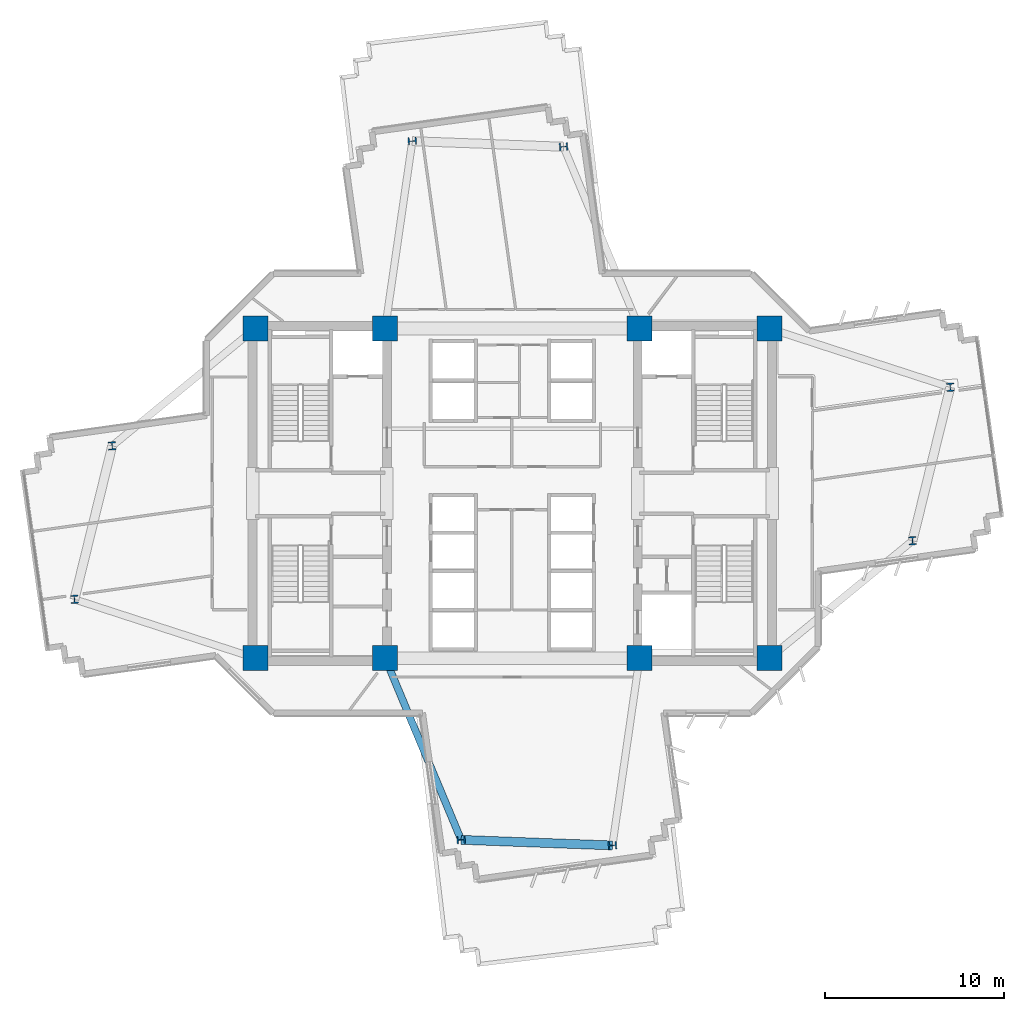
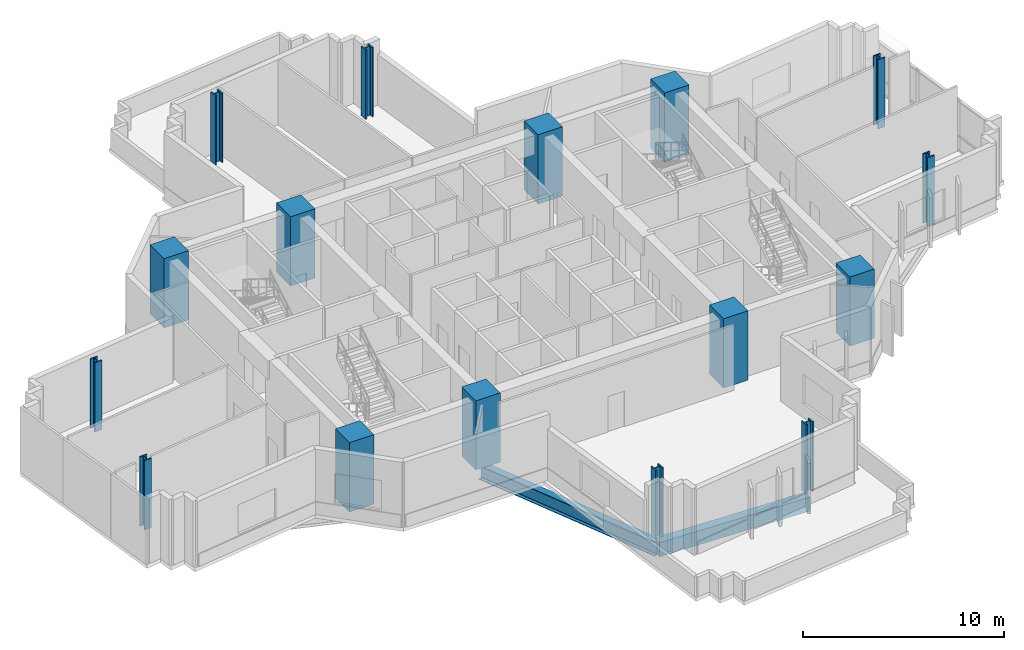
# One storey, part 1 of 13: 16 columns, 2 beams.
"""IFC4 building model written with IfcOpenShell, lengths in metres."""

import ifcopenshell
import ifcopenshell.guid

model = None  # the IFC model being written
_history = None  # IfcOwnerHistory: only IFC2X3 demands one
_inside = {}  # id of a spatial element -> (the spatial element, [elements in it])
_under = {}  # id of a project, library or spatial element -> (it, [spatial elements below it])
_declared = {}  # id of a project -> (the project, [libraries it declares])
_typed = {}  # id of a type object -> (the type object, [elements of that type])
_made_of = {}  # id of a material, layer set ... -> (it, [elements and type objects made of it])


def new_model(schema):
    """Start an empty IFC model of exactly this schema.

    Asked for "IFC4X3", IfcOpenShell would pick the latest addendum, in which some entities
    have other attributes; the version numbers below select the first issue.
    IFC2X3 requires an IfcOwnerHistory on every rooted entity: one is made here for all.
    """
    global model, _history
    if schema == "IFC4X3":
        model = ifcopenshell.file(schema_version=(4, 3, 0, 0))
    else:
        model = ifcopenshell.file(schema=schema)
    _inside.clear()
    _under.clear()
    _declared.clear()
    _typed.clear()
    _made_of.clear()
    _history = None
    if model.schema == "IFC2X3":
        org = make("IfcOrganization", Name="unknown")
        user = make(
            "IfcPersonAndOrganization",
            ThePerson=make("IfcPerson", FamilyName="unknown"),
            TheOrganization=org,
        )
        app = make(
            "IfcApplication",
            ApplicationDeveloper=org,
            Version="unknown",
            ApplicationFullName="unknown",
            ApplicationIdentifier="unknown",
        )
        _history = make(
            "IfcOwnerHistory",
            OwningUser=user,
            OwningApplication=app,
            ChangeAction="ADDED",
            CreationDate=0,
        )
    return model


def make(cls, **values):
    """One entity of the class cls with the attributes given. An attribute that is None is left unset."""
    return model.create_entity(
        cls, **{name: value for name, value in values.items() if value is not None}
    )


def rooted(cls, **values):
    """An entity with a GlobalId (a new one), such as an element, a storey or a relation."""
    return make(cls, GlobalId=ifcopenshell.guid.new(), OwnerHistory=_history, **values)


def si_unit(unit_type, name, prefix=None):
    """IfcSIUnit, for example si_unit("LENGTHUNIT", "METRE", prefix="MILLI")."""
    return make("IfcSIUnit", UnitType=unit_type, Prefix=prefix, Name=name)


def assignment(units):
    """IfcUnitAssignment: the units of a project."""
    return None if units is None else make("IfcUnitAssignment", Units=units)


def point(xyz):
    """IfcCartesianPoint."""
    return None if xyz is None else make("IfcCartesianPoint", Coordinates=xyz)


def direction(xyz):
    """IfcDirection."""
    return None if xyz is None else make("IfcDirection", DirectionRatios=xyz)


def frame(location, z_axis=None, x_axis=None):
    """IfcAxis2Placement3D, a coordinate frame: its origin and axes. An axis left out is left unset."""
    return make(
        "IfcAxis2Placement3D",
        Location=point(location),
        Axis=direction(z_axis),
        RefDirection=direction(x_axis),
    )


def frame_2d(location, x_axis=None):
    """IfcAxis2Placement2D, a coordinate frame in the plane: its origin and x axis."""
    return make(
        "IfcAxis2Placement2D", Location=point(location), RefDirection=direction(x_axis)
    )


def origin():
    """The frame at (0, 0, 0) with its axes left unset."""
    return frame((0.0, 0.0, 0.0))


def origin_2d():
    """The frame at (0, 0) in the plane with its x axis left unset."""
    return frame_2d((0.0, 0.0))


def place(relative_to, where):
    """IfcLocalPlacement: puts the frame where relative to a parent placement (None: the world)."""
    return make(
        "IfcLocalPlacement", PlacementRelTo=relative_to, RelativePlacement=where
    )


def context(
    kind, dimensions, precision=None, world=None, true_north=None, identifier=None
):
    """IfcGeometricRepresentationContext, for example the 3D "Model" context."""
    return make(
        "IfcGeometricRepresentationContext",
        ContextIdentifier=identifier,
        ContextType=kind,
        CoordinateSpaceDimension=dimensions,
        Precision=precision,
        WorldCoordinateSystem=world,
        TrueNorth=true_north,
    )


def subcontext(parent, identifier, kind, view, scale=None):
    """IfcGeometricRepresentationSubContext, for example "Body" below "Model"."""
    return make(
        "IfcGeometricRepresentationSubContext",
        ContextIdentifier=identifier,
        ContextType=kind,
        ParentContext=parent,
        TargetScale=scale,
        TargetView=view,
    )


def project(units=None, contexts=None):
    """IfcProject with its units and contexts."""
    return rooted(
        "IfcProject",
        Name="project",
        RepresentationContexts=contexts,
        UnitsInContext=assignment(units),
    )


def spatial(cls, under=None, at=None, **own):
    """A site, building, storey or space (cls), placed at a placement, below another one or the project."""
    s = rooted(cls, ObjectPlacement=at, **own)
    if under is not None:
        _under.setdefault(under.id(), (under, []))[1].append(s)
    return s


def profile(cls, at=None, kind="AREA", **sizes):
    """A parametric profile (cls). Its sizes go by their IFC names, for example OverallWidth=200.0."""
    return make(cls, ProfileType=kind, Position=at, **sizes)


def rectangle(**sizes):
    """IfcRectangleProfileDef."""
    return profile("IfcRectangleProfileDef", **sizes)


def i_section(**sizes):
    """IfcIShapeProfileDef."""
    return profile("IfcIShapeProfileDef", **sizes)


def extrude(swept, where, along, depth):
    """IfcExtrudedAreaSolid: the profile swept, set in the frame where, extruded along a direction by depth."""
    return make(
        "IfcExtrudedAreaSolid",
        SweptArea=swept,
        Position=where,
        ExtrudedDirection=direction(along),
        Depth=depth,
    )


def shape(context_of_items, identifier, shape_type, items):
    """IfcShapeRepresentation: the items that make up one representation, for example the "Body"."""
    return make(
        "IfcShapeRepresentation",
        ContextOfItems=context_of_items,
        RepresentationIdentifier=identifier,
        RepresentationType=shape_type,
        Items=items,
    )


def source(mapping_origin, context_of_items, identifier, shape_type, items):
    """IfcRepresentationMap: a shape defined once, which mapped items show again and again."""
    return make(
        "IfcRepresentationMap",
        MappingOrigin=mapping_origin,
        MappedRepresentation=shape(context_of_items, identifier, shape_type, items),
    )


def transform(
    local_origin,
    x_axis=None,
    y_axis=None,
    z_axis=None,
    scale=None,
    scale2=None,
    scale3=None,
    uniform=True,
):
    """IfcCartesianTransformationOperator3D, or its non-uniform kind. x_axis, y_axis, z_axis: its Axis1, 2, 3."""
    if uniform:
        return make(
            "IfcCartesianTransformationOperator3D",
            Axis1=direction(x_axis),
            Axis2=direction(y_axis),
            LocalOrigin=point(local_origin),
            Scale=scale,
            Axis3=direction(z_axis),
        )
    return make(
        "IfcCartesianTransformationOperator3DnonUniform",
        Axis1=direction(x_axis),
        Axis2=direction(y_axis),
        LocalOrigin=point(local_origin),
        Scale=scale,
        Axis3=direction(z_axis),
        Scale2=scale2,
        Scale3=scale3,
    )


def mapped(mapping_source, mapping_target):
    """IfcMappedItem: shows the shape of a source again, moved by a transform."""
    return make(
        "IfcMappedItem", MappingSource=mapping_source, MappingTarget=mapping_target
    )


def material(Name=None, Category=None):
    """IfcMaterial."""
    return make("IfcMaterial", Name=Name, Category=Category)


def material_profile(
    of_material, cross_section, Name=None, Category=None, Priority=None
):
    """IfcMaterialProfile: a cross section and its material."""
    return make(
        "IfcMaterialProfile",
        Name=Name,
        Material=of_material,
        Profile=cross_section,
        Priority=Priority,
        Category=Category,
    )


def profile_set(profiles, Name=None, composite=None):
    """IfcMaterialProfileSet."""
    return make(
        "IfcMaterialProfileSet",
        Name=Name,
        MaterialProfiles=profiles,
        CompositeProfile=composite,
    )


def made_of(thing, what):
    """Note that an element or type object is made of a material, layer set ...; save() writes the relation."""
    if what is not None:
        _made_of.setdefault(what.id(), (what, []))[1].append(thing)
    return thing


def type_object(cls, material=None, **own):
    """A type object (cls), such as IfcWallType, which elements share."""
    return made_of(rooted(cls, **own), material)


def element(
    cls,
    number,
    at=None,
    inside=None,
    cuts=None,
    type_object=None,
    material=None,
    context=None,
    identifier="Body",
    shape_type=None,
    held_by="IfcProductDefinitionShape",
    body=None,
    shapes=None,
    **own,
):
    """One element of the class cls, such as IfcWall. Its Tag is "e" and its number.

    at: its placement. inside: the storey or other place that contains it. cuts: it is an
    opening in that element (IfcRelVoidsElement). A single representation is given by context,
    identifier, shape_type and body (its items); several are given by shapes. held_by: the class
    of the entity that holds the representations. save() writes the other relations.
    """
    e = rooted(cls, Tag="e%d" % number, ObjectPlacement=at, **own)
    if body is not None:
        shapes = [shape(context, identifier, shape_type, body)]
    if shapes is not None:
        e.Representation = make(held_by, Representations=shapes)
    if inside is not None:
        _inside.setdefault(inside.id(), (inside, []))[1].append(e)
    if cuts is not None:
        rooted(
            "IfcRelVoidsElement", RelatingBuildingElement=cuts, RelatedOpeningElement=e
        )
    if type_object is not None:
        _typed.setdefault(type_object.id(), (type_object, []))[1].append(e)
    return made_of(e, material)


def aggregate(whole, parts):
    """IfcRelAggregates: a whole, such as a stair, and the parts it consists of."""
    return rooted("IfcRelAggregates", RelatingObject=whole, RelatedObjects=parts)


def save(model, path):
    """Write the relations noted so far, then the file.

    IfcRelAggregates (storeys below a building ...), IfcRelContainedInSpatialStructure (elements
    in a storey), IfcRelDefinesByType, IfcRelAssociatesMaterial and IfcRelDeclares: one each for
    every whole, place, type object, material and project.
    """
    for whole, parts in _under.values():
        aggregate(whole, parts)
    for where, things in _inside.values():
        rooted(
            "IfcRelContainedInSpatialStructure",
            RelatedElements=things,
            RelatingStructure=where,
        )
    for kind, things in _typed.values():
        rooted("IfcRelDefinesByType", RelatedObjects=things, RelatingType=kind)
    for what, things in _made_of.values():
        rooted("IfcRelAssociatesMaterial", RelatedObjects=things, RelatingMaterial=what)
    for by, libraries in _declared.values():
        rooted("IfcRelDeclares", RelatingContext=by, RelatedDefinitions=libraries)
    model.write(path)


model = new_model("IFC4")

# Units and contexts
model_context = context("Model", 3, precision=1e-05, world=origin(), true_north=direction((0.0, 1.0)))
body_context = subcontext(model_context, "Body", "Model", "MODEL_VIEW")
ifc_project = project(units=[si_unit("LENGTHUNIT", "METRE"), si_unit("AREAUNIT", "SQUARE_METRE"), si_unit("VOLUMEUNIT", "CUBIC_METRE"), si_unit("PLANEANGLEUNIT", "RADIAN"), si_unit("MASSUNIT", "GRAM", prefix="KILO")], contexts=[model_context])

# Site, building, storey
site_placement = place(None, origin())
site = spatial("IfcSite", under=ifc_project, at=site_placement, CompositionType="ELEMENT")
building_placement = place(site_placement, origin())
building = spatial("IfcBuilding", under=site, at=building_placement, Name="Zahravan Cultural Tower", CompositionType="ELEMENT")
storey_placement = place(building_placement, frame((0.0, 0.0, 117.300048828125)))
storey = spatial("IfcBuildingStorey", under=building, at=storey_placement, Name="L26", CompositionType="ELEMENT", Elevation=117.300048828125)

# Columns
ifc_material_1 = material(Name="Concrete C60/75", Category="concrete")
ifc_material_profile_1 = material_profile(ifc_material_1, rectangle(XDim=1.39990234375, YDim=1.39990234375, at=origin_2d()), Name="RC1400X1400")
ifc_profile_set_1 = profile_set([ifc_material_profile_1], Name="Concrete C60/75")
column_type_1 = type_object("IfcColumnType", Name="COL-RC1400", PredefinedType="COLUMN", material=ifc_profile_set_1)
shared_shape_1 = source(origin(), body_context, "Body", "SweptSolid", [
    extrude(rectangle(XDim=1.39990234375, YDim=1.39990234375, at=origin_2d()), origin(), (0.0, 0.0, 1.0), 4.199951171875),
])
for number, where, z_axis, x_axis, name in (
    (1, (21.64990234375, 17.800048828125, 0.0), (0.0, 0.0, 1.0), (1.0, 0.0, 0.0), "L26 Column CC-W1"),
    (2, (28.89990234375, 17.800048828125, 0.0), (0.0, 0.0, 1.0), (1.0, 0.0, 0.0), "L26 Column CC-W2"),
    (3, (21.64990234375, 36.199951171875, 0.0), (0.0, 0.0, 1.0), (1.0, 0.0, 0.0), "L26 Column CC-W3"),
    (4, (28.89990234375, 36.199951171875, 0.0), (0.0, 0.0, 1.0), (1.0, 0.0, 0.0), "L26 Column CC-W4"),
    (5, (43.10009765625, 17.800048828125, 0.0), (0.0, 0.0, 1.0), (1.0, 0.0, 0.0), "L26 Column CC-E1"),
    (6, (50.35009765625, 17.800048828125, 0.0), (0.0, 0.0, 1.0), (1.0, 0.0, 0.0), "L26 Column CC-E2"),
    (7, (43.10009765625, 36.199951171875, 0.0), (0.0, 0.0, 1.0), (1.0, 0.0, 0.0), "L26 Column CC-E3"),
    (8, (50.35009765625, 36.199951171875, 0.0), (0.0, 0.0, 1.0), (1.0, 0.0, 0.0), "L26 Column CC-E4"),
):
    element("IfcColumn", number, at=place(storey_placement, frame(where, z_axis=z_axis, x_axis=x_axis)), inside=storey, type_object=column_type_1, Name=name, PredefinedType="COLUMN", context=body_context, shape_type="MappedRepresentation", body=[
        mapped(shared_shape_1, transform((0.0, 0.0, 0.0), x_axis=(1.0, 0.0, 0.0), y_axis=(0.0, 1.0, 0.0), z_axis=(0.0, 0.0, 1.0), scale=1.0)),
    ])
ifc_material_2 = material(Name="Steel ASTM A992 Grade 50", Category="steel")
ifc_material_profile_2 = material_profile(ifc_material_2, i_section(OverallWidth=0.4208984375, OverallDepth=0.465087890625, WebThickness=0.044921875, FlangeThickness=0.072509765625, FilletRadius=0.01806640625, at=origin_2d()), Name="W14X398")
ifc_profile_set_2 = profile_set([ifc_material_profile_2], Name="Steel ASTM A992 Grade 50")
column_type_2 = type_object("IfcColumnType", Name="COL-W14X398", PredefinedType="COLUMN", material=ifc_profile_set_2)
shared_shape_2 = source(origin(), body_context, "Body", "SweptSolid", [
    extrude(i_section(OverallWidth=0.4208984375, OverallDepth=0.465087890625, WebThickness=0.044921875, FlangeThickness=0.072509765625, FilletRadius=0.01806640625, at=origin_2d()), origin(), (0.0, 0.0, 1.0), 4.199951171875),
])
for number, where, z_axis, x_axis, name in (
    (9, (58.339111328125, 24.351806640625, 0.0), (0.0, 0.0, 1.0), (0.99756405026, 0.069756473744, 0.0), "L26 Column Z1C-E1"),
    (10, (60.446533203125, 32.919677734375, 0.0), (0.0, 0.0, 1.0), (0.99756405026, 0.069756473744, 0.0), "L26 Column Z1C-E2"),
    (11, (38.857421875, 46.346435546875, 0.0), (0.0, 0.0, 1.0), (-0.069756473744, 0.99756405026, 0.0), "L26 Column Z1C-N1"),
    (12, (30.4150390625, 46.658203125, 0.0), (0.0, 0.0, 1.0), (-0.069756473744, 0.99756405026, 0.0), "L26 Column Z1C-N2"),
    (13, (13.660888671875, 29.648193359375, 0.0), (0.0, 0.0, 1.0), (0.99756405026, 0.069756473744, 0.0), "L26 Column Z1C-W1"),
    (14, (11.553466796875, 21.080322265625, 0.0), (0.0, 0.0, 1.0), (0.99756405026, 0.069756473744, 0.0), "L26 Column Z1C-W2"),
    (15, (33.142578125, 7.653564453125, 0.0), (0.0, 0.0, 1.0), (-0.069756473744, 0.99756405026, 0.0), "L26 Column Z1C-S1"),
    (16, (41.5849609375, 7.341796875, 0.0), (0.0, 0.0, 1.0), (-0.069756473744, 0.99756405026, 0.0), "L26 Column Z1C-S2"),
):
    element("IfcColumn", number, at=place(storey_placement, frame(where, z_axis=z_axis, x_axis=x_axis)), inside=storey, type_object=column_type_2, Name=name, PredefinedType="COLUMN", context=body_context, shape_type="MappedRepresentation", body=[
        mapped(shared_shape_2, transform((0.0, 0.0, 0.0), x_axis=(1.0, 0.0, 0.0), y_axis=(0.0, 1.0, 0.0), z_axis=(0.0, 0.0, 1.0), scale=1.0)),
    ])

# Beams
ifc_material_3 = material(Name="Concrete C50/60", Category="concrete")
ifc_material_profile_3 = material_profile(ifc_material_3, rectangle(XDim=0.5, YDim=0.85009765625, at=origin_2d()), Name="RC500X850")
ifc_profile_set_3 = profile_set([ifc_material_profile_3], Name="Concrete C50/60")
beam_type_1 = type_object("IfcBeamType", Name="BM-SP-RC500X850", PredefinedType="SPANDREL", material=ifc_profile_set_3)
shared_shape_3 = source(origin(), body_context, "Body", "SweptSolid", [
    extrude(rectangle(XDim=0.5, YDim=0.85009765625, at=origin_2d()), origin(), (0.0, 0.0, 1.0), 8.4482421875),
])
beam_1_placement = place(storey_placement, frame((33.142578125, 7.653564453125, -0.675048828125), z_axis=(0.999318826256, -0.036903705643, 0.0), x_axis=(0.036903705643, 0.999318826256, 0.0)))
element("IfcBeam", 17, at=beam_1_placement, inside=storey, type_object=beam_type_1, Name="L26 Beam SP-L26-15", PredefinedType="SPANDREL", context=body_context, shape_type="MappedRepresentation", body=[
    mapped(shared_shape_3, transform((0.0, 0.0, 0.0), x_axis=(1.0, 0.0, 0.0), y_axis=(0.0, 1.0, 0.0), z_axis=(0.0, 0.0, 1.0), scale=1.0)),
])
ifc_material_profile_4 = material_profile(ifc_material_2, i_section(OverallWidth=0.39990234375, OverallDepth=0.862060546875, WebThickness=0.019775390625, FlangeThickness=0.032470703125, FilletRadius=0.02001953125, at=origin_2d()), Name="W33X221")
ifc_profile_set_4 = profile_set([ifc_material_profile_4], Name="Steel ASTM A992 Grade 50")
beam_type_2 = type_object("IfcBeamType", Name="BM-G-W33X221", PredefinedType="BEAM", material=ifc_profile_set_4)
shared_shape_4 = source(origin(), body_context, "Body", "SweptSolid", [
    extrude(i_section(OverallWidth=0.39990234375, OverallDepth=0.862060546875, WebThickness=0.019775390625, FlangeThickness=0.032470703125, FilletRadius=0.02001953125, at=origin_2d()), origin(), (0.0, 0.0, 1.0), 10.997802734375),
])
beam_2_placement = place(storey_placement, frame((28.89990234375, 17.800048828125, -0.68115234375), z_axis=(0.385775211449, -0.922592806297, 0.0), x_axis=(0.922592806297, 0.385775211449, 0.0)))
element("IfcBeam", 18, at=beam_2_placement, inside=storey, type_object=beam_type_2, Name="L26 Beam BG-L26-08", PredefinedType="BEAM", context=body_context, shape_type="MappedRepresentation", body=[
    mapped(shared_shape_4, transform((0.0, 0.0, 0.0), x_axis=(1.0, 0.0, 0.0), y_axis=(0.0, 1.0, 0.0), z_axis=(0.0, 0.0, 1.0), scale=1.0)),
])

save(model, "model.ifc")
